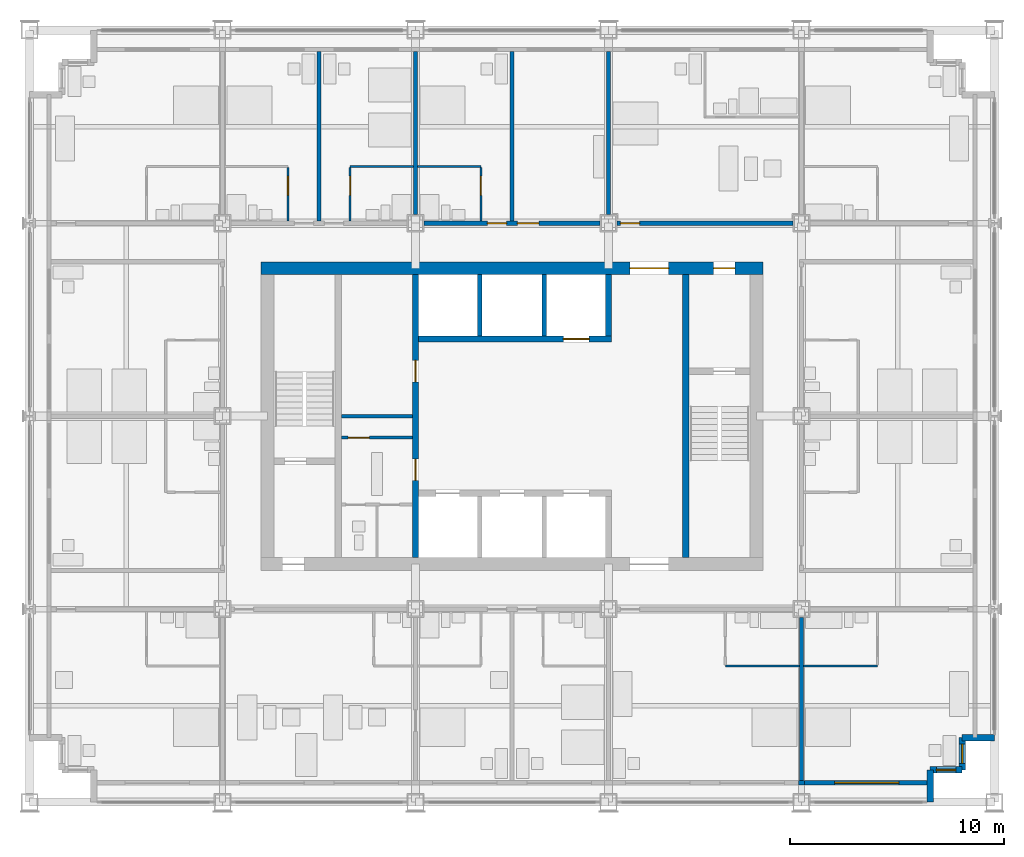
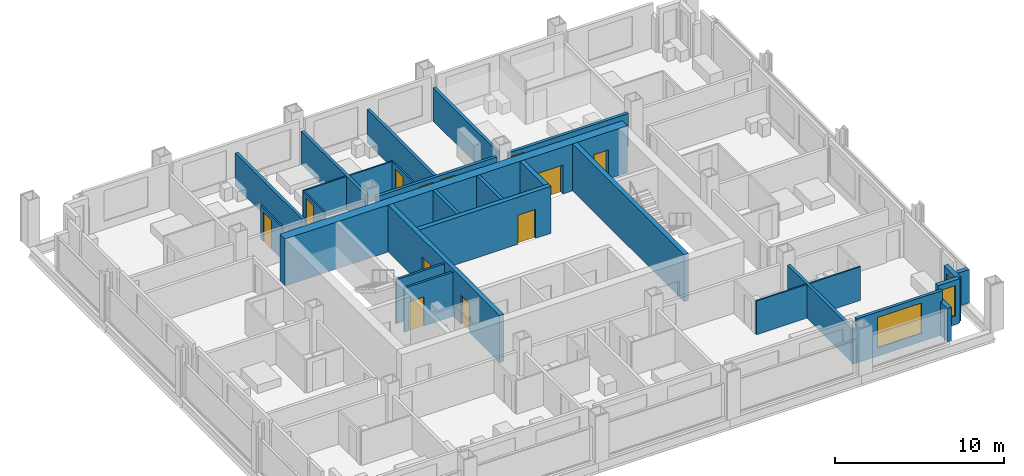
# One storey, part 11 of 16: 29 walls, 12 doors, 3 windows, 15 openings.
"""IFC4 building model written with IfcOpenShell, lengths in metres."""

from ifc_helpers import new_model, si_unit, direction, frame, frame_2d, origin, place, context, subcontext, project, spatial, rectangle, extrude, material, layer, layer_set, type_object, element, fill, save


model = new_model("IFC4")

# Units and contexts
model_context = context("Model", 3, precision=1e-05, world=origin(), true_north=direction((0.0, 1.0)))
body_context = subcontext(model_context, "Body", "Model", "MODEL_VIEW")
ifc_project = project(units=[si_unit("LENGTHUNIT", "METRE"), si_unit("AREAUNIT", "SQUARE_METRE"), si_unit("VOLUMEUNIT", "CUBIC_METRE"), si_unit("PLANEANGLEUNIT", "RADIAN"), si_unit("MASSUNIT", "GRAM", prefix="KILO")], contexts=[model_context])

# Site, building, storey
site_placement = place(None, origin())
site = spatial("IfcSite", under=ifc_project, at=site_placement, CompositionType="ELEMENT")
building_placement = place(site_placement, origin())
building = spatial("IfcBuilding", under=site, at=building_placement, Name="Loomwork Tower", CompositionType="ELEMENT")
storey_placement = place(building_placement, frame((0.0, 0.0, 131.60009765625)))
storey = spatial("IfcBuildingStorey", under=building, at=storey_placement, Name="L35", CompositionType="ELEMENT", Elevation=131.60009765625)

# Wall, openings, doors
ifc_material_1 = material(Name="Concrete 14000 psi (97 MPa)", Category="concrete")
ifc_layer_1 = layer(ifc_material_1, 0.300048828125)
ifc_layer_set_1 = layer_set([ifc_layer_1], Name="Core shear wall 300")
wall_type_1 = type_object("IfcWallType", Name="Core shear wall 300", PredefinedType="SHEAR", material=ifc_layer_set_1)
wall_1_placement = place(storey_placement, frame((18.0, 11.39990234375, 0.0), z_axis=(0.0, 0.0, 1.0), x_axis=(0.0, 1.0, 0.0)))
wall_1 = element("IfcWall", 1, at=wall_1_placement, inside=storey, type_object=wall_type_1, Name="Lobby west wall L35", PredefinedType="SHEAR", context=body_context, shape_type="SweptSolid", body=[
    extrude(rectangle(XDim=13.2001953125, YDim=0.300048828125, at=frame_2d((6.60009765625, 0.0))), origin(), (0.0, 0.0, 1.0), 3.39990234375),
])
opening_1_placement = place(wall_1_placement, frame((3.60009765625, 0.0, 0.0)))
opening_1 = element("IfcOpeningElement", 2, at=opening_1_placement, cuts=wall_1, Name="Opening D5", PredefinedType="OPENING", context=body_context, shape_type="SweptSolid", body=[
    extrude(rectangle(XDim=1.0, YDim=2.10009765625, at=frame_2d((0.5, 1.050048828125))), frame((0.0, 0.159912109375, 0.0), z_axis=(0.0, -1.0, 0.0), x_axis=(1.0, 0.0, 0.0)), (0.0, 0.0, 1.0), 0.320068359375),
])
opening_2_placement = place(wall_1_placement, frame((8.199951171875, 0.0, 0.0)))
opening_2 = element("IfcOpeningElement", 3, at=opening_2_placement, cuts=wall_1, Name="Opening D5", PredefinedType="OPENING", context=body_context, shape_type="SweptSolid", body=[
    extrude(rectangle(XDim=1.0, YDim=2.10009765625, at=frame_2d((0.5, 1.050048828125))), frame((0.0, 0.159912109375, 0.0), z_axis=(0.0, -1.0, 0.0), x_axis=(1.0, 0.0, 0.0)), (0.0, 0.0, 1.0), 0.320068359375),
])
ifc_material_2 = material(Name="Hollow metal door and frame")
door_type_1 = type_object("IfcDoorType", Name="Service door 1000", OperationType="SINGLE_SWING_LEFT", PredefinedType="DOOR", material=ifc_material_2)
door_1_placement = place(opening_1_placement, origin())
door_1 = element("IfcDoor", 4, at=door_1_placement, inside=storey, type_object=door_type_1, Name="Back-of-house door south", OperationType="SINGLE_SWING_LEFT", OverallHeight=2.10009765625, OverallWidth=1.0, PredefinedType="DOOR", context=body_context, shape_type="SweptSolid", body=[
    extrude(rectangle(XDim=1.0, YDim=2.10009765625, at=frame_2d((0.5, 1.050048828125))), frame((0.0, 0.02490234375, 0.0), z_axis=(0.0, -1.0, 0.0), x_axis=(1.0, 0.0, 0.0)), (0.0, 0.0, 1.0), 0.050048828125),
])
fill(opening_1, door_1)
door_2_placement = place(opening_2_placement, origin())
door_2 = element("IfcDoor", 5, at=door_2_placement, inside=storey, type_object=door_type_1, Name="Back-of-house door north", OperationType="SINGLE_SWING_RIGHT", OverallHeight=2.10009765625, OverallWidth=1.0, PredefinedType="DOOR", context=body_context, shape_type="SweptSolid", body=[
    extrude(rectangle(XDim=1.0, YDim=2.10009765625, at=frame_2d((0.5, 1.050048828125))), frame((0.0, 0.02490234375, 0.0), z_axis=(0.0, -1.0, 0.0), x_axis=(1.0, 0.0, 0.0)), (0.0, 0.0, 1.0), 0.050048828125),
])
fill(opening_2, door_2)

# Wall, opening, door
wall_2_placement = place(storey_placement, frame((18.14990234375, 21.60009765625, 0.0), z_axis=(0.0, 0.0, 1.0), x_axis=(1.0, 0.0, 0.0)))
wall_2 = element("IfcWall", 6, at=wall_2_placement, inside=storey, type_object=wall_type_1, Name="Lift front wall north L35", PredefinedType="SHEAR", context=body_context, shape_type="SweptSolid", body=[
    extrude(rectangle(XDim=9.0, YDim=0.300048828125, at=frame_2d((4.5, 0.0))), origin(), (0.0, 0.0, 1.0), 3.39990234375),
])
opening_3_placement = place(wall_2_placement, frame((6.75, 0.0, 0.0)))
opening_3 = element("IfcOpeningElement", 7, at=opening_3_placement, cuts=wall_2, Name="Opening LD2", PredefinedType="OPENING", context=body_context, shape_type="SweptSolid", body=[
    extrude(rectangle(XDim=1.199951171875, YDim=2.10009765625, at=frame_2d((0.60009765625, 1.050048828125))), frame((0.0, 0.159912109375, 0.0), z_axis=(0.0, -1.0, 0.0), x_axis=(1.0, 0.0, 0.0)), (0.0, 0.0, 1.0), 0.320068359375),
])
ifc_material_3 = material(Name="Hollow metal door and frame")
door_type_2 = type_object("IfcDoorType", Name="Lift landing door 1200", OperationType="SLIDING_TO_LEFT", PredefinedType="DOOR", material=ifc_material_3)
door_3_placement = place(opening_3_placement, origin())
door_3 = element("IfcDoor", 8, at=door_3_placement, inside=storey, type_object=door_type_2, Name="Lift landing door LF2", OperationType="SLIDING_TO_LEFT", OverallHeight=2.10009765625, OverallWidth=1.199951171875, PredefinedType="DOOR", context=body_context, shape_type="SweptSolid", body=[
    extrude(rectangle(XDim=1.199951171875, YDim=2.10009765625, at=frame_2d((0.60009765625, 1.050048828125))), frame((0.0, 0.02490234375, 0.0), z_axis=(0.0, -1.0, 0.0), x_axis=(1.0, 0.0, 0.0)), (0.0, 0.0, 1.0), 0.050048828125),
])
fill(opening_3, door_3)

# Walls
wall_3_placement = place(storey_placement, frame((27.0, 21.75, 0.0), z_axis=(0.0, 0.0, 1.0), x_axis=(0.0, 1.0, 0.0)))
element("IfcWall", 9, at=wall_3_placement, inside=storey, type_object=wall_type_1, Name="Lift shaft end wall north L35", PredefinedType="SHEAR", context=body_context, shape_type="SweptSolid", body=[
    extrude(rectangle(XDim=2.85009765625, YDim=0.300048828125, at=frame_2d((1.425048828125, 0.0))), origin(), (0.0, 0.0, 1.0), 3.39990234375),
])
wall_4_placement = place(storey_placement, frame((30.60009765625, 11.39990234375, 0.0), z_axis=(0.0, 0.0, 1.0), x_axis=(0.0, 1.0, 0.0)))
element("IfcWall", 10, at=wall_4_placement, inside=storey, type_object=wall_type_1, Name="Stair B west wall L35", PredefinedType="SHEAR", context=body_context, shape_type="SweptSolid", body=[
    extrude(rectangle(XDim=13.2001953125, YDim=0.300048828125, at=frame_2d((6.60009765625, 0.0))), origin(), (0.0, 0.0, 1.0), 3.39990234375),
])

# Wall, openings, doors
ifc_material_4 = material(Name="Concrete 14000 psi (97 MPa)", Category="concrete")
ifc_layer_2 = layer(ifc_material_4, 0.60009765625)
ifc_layer_set_2 = layer_set([ifc_layer_2], Name="Core shear wall 600")
wall_type_2 = type_object("IfcWallType", Name="Core shear wall 600", PredefinedType="SHEAR", material=ifc_layer_set_2)
wall_5_placement = place(storey_placement, frame((10.800048828125, 24.89990234375, 0.0), z_axis=(0.0, 0.0, 1.0), x_axis=(1.0, 0.0, 0.0)))
wall_5 = element("IfcWall", 11, at=wall_5_placement, inside=storey, type_object=wall_type_2, Name="Core wall north L35", PredefinedType="SHEAR", context=body_context, shape_type="SweptSolid", body=[
    extrude(rectangle(XDim=23.39990234375, YDim=0.60009765625, at=frame_2d((11.699951171875, 0.0))), origin(), (0.0, 0.0, 1.0), 3.39990234375),
])
opening_4_placement = place(wall_5_placement, frame((17.199951171875, 0.0, 0.0)))
opening_4 = element("IfcOpeningElement", 12, at=opening_4_placement, cuts=wall_5, Name="Opening D6", PredefinedType="OPENING", context=body_context, shape_type="SweptSolid", body=[
    extrude(rectangle(XDim=1.800048828125, YDim=2.10009765625, at=frame_2d((0.89990234375, 1.050048828125))), frame((0.0, 0.31005859375, 0.0), z_axis=(0.0, -1.0, 0.0), x_axis=(1.0, 0.0, 0.0)), (0.0, 0.0, 1.0), 0.6201171875),
])
opening_5_placement = place(wall_5_placement, frame((21.10009765625, 0.0, 0.0)))
opening_5 = element("IfcOpeningElement", 13, at=opening_5_placement, cuts=wall_5, Name="Opening D4", PredefinedType="OPENING", context=body_context, shape_type="SweptSolid", body=[
    extrude(rectangle(XDim=1.0, YDim=2.10009765625, at=frame_2d((0.5, 1.050048828125))), frame((0.0, 0.31005859375, 0.0), z_axis=(0.0, -1.0, 0.0), x_axis=(1.0, 0.0, 0.0)), (0.0, 0.0, 1.0), 0.6201171875),
])
ifc_material_5 = material(Name="Hollow metal door and frame")
door_type_3 = type_object("IfcDoorType", Name="Lobby passage double door 1800", OperationType="DOUBLE_DOOR_SINGLE_SWING", PredefinedType="DOOR", material=ifc_material_5)
door_4_placement = place(opening_4_placement, frame((1.800048828125, 0.0, 0.0), z_axis=(0.0, 0.0, 1.0), x_axis=(-1.0, 0.0, 0.0)))
door_4 = element("IfcDoor", 14, at=door_4_placement, inside=storey, type_object=door_type_3, Name="Lobby passage door north", OperationType="DOUBLE_DOOR_SINGLE_SWING", OverallHeight=2.10009765625, OverallWidth=1.800048828125, PredefinedType="DOOR", context=body_context, shape_type="SweptSolid", body=[
    extrude(rectangle(XDim=1.800048828125, YDim=2.10009765625, at=frame_2d((0.89990234375, 1.050048828125))), frame((0.0, 0.02490234375, 0.0), z_axis=(0.0, -1.0, 0.0), x_axis=(1.0, 0.0, 0.0)), (0.0, 0.0, 1.0), 0.050048828125),
])
fill(opening_4, door_4)
ifc_material_6 = material(Name="Hollow metal door and frame")
door_type_4 = type_object("IfcDoorType", Name="Stair door 1000", OperationType="SINGLE_SWING_RIGHT", PredefinedType="DOOR", material=ifc_material_6)
door_5_placement = place(opening_5_placement, frame((1.0, 0.0, 0.0), z_axis=(0.0, 0.0, 1.0), x_axis=(-1.0, 0.0, 0.0)))
door_5 = element("IfcDoor", 15, at=door_5_placement, inside=storey, type_object=door_type_4, Name="Stair B vestibule door", OperationType="SINGLE_SWING_LEFT", OverallHeight=2.10009765625, OverallWidth=1.0, PredefinedType="DOOR", context=body_context, shape_type="SweptSolid", body=[
    extrude(rectangle(XDim=1.0, YDim=2.10009765625, at=frame_2d((0.5, 1.050048828125))), frame((0.0, 0.02490234375, 0.0), z_axis=(0.0, -1.0, 0.0), x_axis=(1.0, 0.0, 0.0)), (0.0, 0.0, 1.0), 0.050048828125),
])
fill(opening_5, door_5)

ifc_material_7 = material(Name="Gypsum board on steel studs, one-hour", Category="steel")
ifc_layer_3 = layer(ifc_material_7, 0.199951171875)
ifc_layer_set_3 = layer_set([ifc_layer_3], Name="Corridor wall 200")
wall_type_3 = type_object("IfcWallType", Name="Corridor wall 200", PredefinedType="PARTITIONING", material=ifc_layer_set_3)
wall_6_placement = place(storey_placement, frame((18.39990234375, 27.0, 0.0), z_axis=(0.0, 0.0, 1.0), x_axis=(1.0, 0.0, 0.0)))
wall_6 = element("IfcWall", 16, at=wall_6_placement, inside=storey, type_object=wall_type_3, Name="North corridor wall 3", PredefinedType="PARTITIONING", context=body_context, shape_type="SweptSolid", body=[
    extrude(rectangle(XDim=8.2001953125, YDim=0.199951171875, at=frame_2d((4.10009765625, 0.0))), origin(), (0.0, 0.0, 1.0), 2.40478515625),
])
opening_6_placement = place(wall_6_placement, frame((2.949951171875, 0.0, 0.0)))
opening_6 = element("IfcOpeningElement", 17, at=opening_6_placement, cuts=wall_6, Name="Opening D1", PredefinedType="OPENING", context=body_context, shape_type="SweptSolid", body=[
    extrude(rectangle(XDim=0.89990234375, YDim=2.10009765625, at=frame_2d((0.449951171875, 1.050048828125))), frame((0.0, 0.10986328125, 0.0), z_axis=(0.0, -1.0, 0.0), x_axis=(1.0, 0.0, 0.0)), (0.0, 0.0, 1.0), 0.219970703125),
])
opening_7_placement = place(wall_6_placement, frame((4.35009765625, 0.0, 0.0)))
opening_7 = element("IfcOpeningElement", 18, at=opening_7_placement, cuts=wall_6, Name="Opening D15", PredefinedType="OPENING", context=body_context, shape_type="SweptSolid", body=[
    extrude(rectangle(XDim=1.0, YDim=2.10009765625, at=frame_2d((0.5, 1.050048828125))), frame((0.0, 0.10986328125, 0.0), z_axis=(0.0, -1.0, 0.0), x_axis=(1.0, 0.0, 0.0)), (0.0, 0.0, 1.0), 0.219970703125),
])
ifc_material_8 = material(Name="Hollow metal door and frame")
door_type_5 = type_object("IfcDoorType", Name="Fire-rated room door 1000", OperationType="SINGLE_SWING_LEFT", PredefinedType="DOOR", material=ifc_material_8)
door_6_placement = place(opening_7_placement, origin())
door_6 = element("IfcDoor", 19, at=door_6_placement, inside=storey, type_object=door_type_5, Name="Housekeeping pantry door L35 11", OperationType="SINGLE_SWING_LEFT", OverallHeight=2.10009765625, OverallWidth=1.0, PredefinedType="DOOR", context=body_context, shape_type="SweptSolid", body=[
    extrude(rectangle(XDim=1.0, YDim=2.10009765625, at=frame_2d((0.5, 1.050048828125))), frame((0.0, 0.02490234375, 0.0), z_axis=(0.0, -1.0, 0.0), x_axis=(1.0, 0.0, 0.0)), (0.0, 0.0, 1.0), 0.050048828125),
])
fill(opening_7, door_6)
ifc_material_9 = material(Name="Hollow metal door and frame")
door_type_6 = type_object("IfcDoorType", Name="Guest room entry door 900", OperationType="SINGLE_SWING_LEFT", PredefinedType="DOOR", material=ifc_material_9)
door_7_placement = place(opening_6_placement, origin())
door_7 = element("IfcDoor", 20, at=door_7_placement, inside=storey, type_object=door_type_6, Name="Guest room entry door L35 10", OperationType="SINGLE_SWING_RIGHT", OverallHeight=2.10009765625, OverallWidth=0.89990234375, PredefinedType="DOOR", context=body_context, shape_type="SweptSolid", body=[
    extrude(rectangle(XDim=0.89990234375, YDim=2.10009765625, at=frame_2d((0.449951171875, 1.050048828125))), frame((0.0, 0.02490234375, 0.0), z_axis=(0.0, -1.0, 0.0), x_axis=(1.0, 0.0, 0.0)), (0.0, 0.0, 1.0), 0.050048828125),
])
fill(opening_6, door_7)

# Wall, opening, door
wall_7_placement = place(storey_placement, frame((27.39990234375, 27.0, 0.0), z_axis=(0.0, 0.0, 1.0), x_axis=(1.0, 0.0, 0.0)))
wall_7 = element("IfcWall", 21, at=wall_7_placement, inside=storey, type_object=wall_type_3, Name="North corridor wall 4", PredefinedType="PARTITIONING", context=body_context, shape_type="SweptSolid", body=[
    extrude(rectangle(XDim=8.2001953125, YDim=0.199951171875, at=frame_2d((4.10009765625, 0.0))), origin(), (0.0, 0.0, 1.0), 2.40478515625),
])
opening_8_placement = place(wall_7_placement, frame((0.14990234375, 0.0, 0.0)))
opening_8 = element("IfcOpeningElement", 22, at=opening_8_placement, cuts=wall_7, Name="Opening D1", PredefinedType="OPENING", context=body_context, shape_type="SweptSolid", body=[
    extrude(rectangle(XDim=0.89990234375, YDim=2.10009765625, at=frame_2d((0.449951171875, 1.050048828125))), frame((0.0, 0.10986328125, 0.0), z_axis=(0.0, -1.0, 0.0), x_axis=(1.0, 0.0, 0.0)), (0.0, 0.0, 1.0), 0.219970703125),
])
door_8_placement = place(opening_8_placement, origin())
door_8 = element("IfcDoor", 23, at=door_8_placement, inside=storey, type_object=door_type_6, Name="Guest room entry door L35 12", OperationType="SINGLE_SWING_LEFT", OverallHeight=2.10009765625, OverallWidth=0.89990234375, PredefinedType="DOOR", context=body_context, shape_type="SweptSolid", body=[
    extrude(rectangle(XDim=0.89990234375, YDim=2.10009765625, at=frame_2d((0.449951171875, 1.050048828125))), frame((0.0, 0.02490234375, 0.0), z_axis=(0.0, -1.0, 0.0), x_axis=(1.0, 0.0, 0.0)), (0.0, 0.0, 1.0), 0.050048828125),
])
fill(opening_8, door_8)

# Walls
ifc_material_10 = material(Name="Cement board on steel studs", Category="steel")
ifc_layer_4 = layer(ifc_material_10, 0.10009765625)
ifc_layer_set_4 = layer_set([ifc_layer_4], Name="En-suite partition 100")
wall_type_4 = type_object("IfcWallType", Name="En-suite partition 100", PredefinedType="PARTITIONING", material=ifc_layer_set_4)
for number, where, z_axis, x_axis, name in (
    (24, (32.449951171875, 6.35009765625, 0.0), (0.0, 0.0, 1.0), (1.0, 0.0, 0.0), "En-suite wall L35 room 5"),
    (25, (36.10009765625, 6.35009765625, 0.0), (0.0, 0.0, 1.0), (1.0, 0.0, 0.0), "En-suite wall L35 room 6"),
):
    element("IfcWall", number, at=place(storey_placement, frame(where, z_axis=z_axis, x_axis=x_axis)), inside=storey, type_object=wall_type_4, Name=name, PredefinedType="PARTITIONING", context=body_context, shape_type="SweptSolid", body=[
        extrude(rectangle(XDim=3.449951171875, YDim=0.10009765625, at=frame_2d((1.72509765625, 0.0))), origin(), (0.0, 0.0, 1.0), 2.43798828125),
    ])

# Wall, opening, door
wall_8_placement = place(storey_placement, frame((12.050048828125, 27.10009765625, 0.0), z_axis=(0.0, 0.0, 1.0), x_axis=(0.0, 1.0, 0.0)))
wall_8 = element("IfcWall", 26, at=wall_8_placement, inside=storey, type_object=wall_type_4, Name="En-suite side wall L35 room 8", PredefinedType="PARTITIONING", context=body_context, shape_type="SweptSolid", body=[
    extrude(rectangle(XDim=2.5, YDim=0.10009765625, at=frame_2d((1.25, 0.0))), origin(), (0.0, 0.0, 1.0), 2.40380859375),
])
opening_9_placement = place(wall_8_placement, frame((1.199951171875, 0.0, 0.0)))
opening_9 = element("IfcOpeningElement", 27, at=opening_9_placement, cuts=wall_8, Name="Opening D2", PredefinedType="OPENING", context=body_context, shape_type="SweptSolid", body=[
    extrude(rectangle(XDim=0.89990234375, YDim=2.10009765625, at=frame_2d((0.449951171875, 1.050048828125))), frame((0.0, 0.06005859375, 0.0), z_axis=(0.0, -1.0, 0.0), x_axis=(1.0, 0.0, 0.0)), (0.0, 0.0, 1.0), 0.1201171875),
])
ifc_material_11 = material(Name="Hollow metal door and frame")
door_type_7 = type_object("IfcDoorType", Name="En-suite door 900", OperationType="SINGLE_SWING_LEFT", PredefinedType="DOOR", material=ifc_material_11)
door_9_placement = place(opening_9_placement, origin())
door_9 = element("IfcDoor", 28, at=door_9_placement, inside=storey, type_object=door_type_7, Name="En-suite door room 8", OperationType="SINGLE_SWING_RIGHT", OverallHeight=2.10009765625, OverallWidth=0.89990234375, PredefinedType="DOOR", context=body_context, shape_type="SweptSolid", body=[
    extrude(rectangle(XDim=0.89990234375, YDim=2.10009765625, at=frame_2d((0.449951171875, 1.050048828125))), frame((0.0, 0.02490234375, 0.0), z_axis=(0.0, -1.0, 0.0), x_axis=(1.0, 0.0, 0.0)), (0.0, 0.0, 1.0), 0.050048828125),
])
fill(opening_9, door_9)

# Wall
wall_9_placement = place(storey_placement, frame((14.949951171875, 29.64990234375, 0.0), z_axis=(0.0, 0.0, 1.0), x_axis=(1.0, 0.0, 0.0)))
element("IfcWall", 29, at=wall_9_placement, inside=storey, type_object=wall_type_4, Name="En-suite wall L35 room 9", PredefinedType="PARTITIONING", context=body_context, shape_type="SweptSolid", body=[
    extrude(rectangle(XDim=2.949951171875, YDim=0.10009765625, at=frame_2d((1.47509765625, 0.0))), origin(), (0.0, 0.0, 1.0), 2.40380859375),
])

# Wall, opening, door
wall_10_placement = place(storey_placement, frame((14.949951171875, 27.10009765625, 0.0), z_axis=(0.0, 0.0, 1.0), x_axis=(0.0, 1.0, 0.0)))
wall_10 = element("IfcWall", 30, at=wall_10_placement, inside=storey, type_object=wall_type_4, Name="En-suite side wall L35 room 9", PredefinedType="PARTITIONING", context=body_context, shape_type="SweptSolid", body=[
    extrude(rectangle(XDim=2.5, YDim=0.10009765625, at=frame_2d((1.25, 0.0))), origin(), (0.0, 0.0, 1.0), 2.40380859375),
])
opening_10_placement = place(wall_10_placement, frame((1.199951171875, 0.0, 0.0)))
opening_10 = element("IfcOpeningElement", 31, at=opening_10_placement, cuts=wall_10, Name="Opening D2", PredefinedType="OPENING", context=body_context, shape_type="SweptSolid", body=[
    extrude(rectangle(XDim=0.89990234375, YDim=2.10009765625, at=frame_2d((0.449951171875, 1.050048828125))), frame((0.0, 0.06005859375, 0.0), z_axis=(0.0, -1.0, 0.0), x_axis=(1.0, 0.0, 0.0)), (0.0, 0.0, 1.0), 0.1201171875),
])
door_10_placement = place(opening_10_placement, frame((0.89990234375, 0.0, 0.0), z_axis=(0.0, 0.0, 1.0), x_axis=(-1.0, 0.0, 0.0)))
door_10 = element("IfcDoor", 32, at=door_10_placement, inside=storey, type_object=door_type_7, Name="En-suite door room 9", OperationType="SINGLE_SWING_LEFT", OverallHeight=2.10009765625, OverallWidth=0.89990234375, PredefinedType="DOOR", context=body_context, shape_type="SweptSolid", body=[
    extrude(rectangle(XDim=0.89990234375, YDim=2.10009765625, at=frame_2d((0.449951171875, 1.050048828125))), frame((0.0, 0.02490234375, 0.0), z_axis=(0.0, -1.0, 0.0), x_axis=(1.0, 0.0, 0.0)), (0.0, 0.0, 1.0), 0.050048828125),
])
fill(opening_10, door_10)

# Wall
wall_11_placement = place(storey_placement, frame((18.10009765625, 29.64990234375, 0.0), z_axis=(0.0, 0.0, 1.0), x_axis=(1.0, 0.0, 0.0)))
element("IfcWall", 33, at=wall_11_placement, inside=storey, type_object=wall_type_4, Name="En-suite wall L35 room 10", PredefinedType="PARTITIONING", context=body_context, shape_type="SweptSolid", body=[
    extrude(rectangle(XDim=2.949951171875, YDim=0.10009765625, at=frame_2d((1.47509765625, 0.0))), origin(), (0.0, 0.0, 1.0), 2.40380859375),
])

# Wall, opening, door
wall_12_placement = place(storey_placement, frame((21.050048828125, 27.10009765625, 0.0), z_axis=(0.0, 0.0, 1.0), x_axis=(0.0, 1.0, 0.0)))
wall_12 = element("IfcWall", 34, at=wall_12_placement, inside=storey, type_object=wall_type_4, Name="En-suite side wall L35 room 10", PredefinedType="PARTITIONING", context=body_context, shape_type="SweptSolid", body=[
    extrude(rectangle(XDim=2.5, YDim=0.10009765625, at=frame_2d((1.25, 0.0))), origin(), (0.0, 0.0, 1.0), 2.40380859375),
])
opening_11_placement = place(wall_12_placement, frame((1.199951171875, 0.0, 0.0)))
opening_11 = element("IfcOpeningElement", 35, at=opening_11_placement, cuts=wall_12, Name="Opening D2", PredefinedType="OPENING", context=body_context, shape_type="SweptSolid", body=[
    extrude(rectangle(XDim=0.89990234375, YDim=2.10009765625, at=frame_2d((0.449951171875, 1.050048828125))), frame((0.0, 0.06005859375, 0.0), z_axis=(0.0, -1.0, 0.0), x_axis=(1.0, 0.0, 0.0)), (0.0, 0.0, 1.0), 0.1201171875),
])
door_11_placement = place(opening_11_placement, origin())
door_11 = element("IfcDoor", 36, at=door_11_placement, inside=storey, type_object=door_type_7, Name="En-suite door room 10", OperationType="SINGLE_SWING_RIGHT", OverallHeight=2.10009765625, OverallWidth=0.89990234375, PredefinedType="DOOR", context=body_context, shape_type="SweptSolid", body=[
    extrude(rectangle(XDim=0.89990234375, YDim=2.10009765625, at=frame_2d((0.449951171875, 1.050048828125))), frame((0.0, 0.02490234375, 0.0), z_axis=(0.0, -1.0, 0.0), x_axis=(1.0, 0.0, 0.0)), (0.0, 0.0, 1.0), 0.050048828125),
])
fill(opening_11, door_11)

# Walls
ifc_material_12 = material(Name="Gypsum board on steel studs, acoustic", Category="steel")
ifc_layer_5 = layer(ifc_material_12, 0.199951171875)
ifc_layer_set_5 = layer_set([ifc_layer_5], Name="Guest room party wall 200")
wall_type_5 = type_object("IfcWallType", Name="Guest room party wall 200", PredefinedType="PARTITIONING", material=ifc_layer_set_5)
wall_13_placement = place(storey_placement, frame((36.0, 8.60009765625, 0.0), z_axis=(0.0, 0.0, 1.0), x_axis=(0.0, -1.0, 0.0)))
element("IfcWall", 37, at=wall_13_placement, inside=storey, type_object=wall_type_5, Name="Guest room party wall S 36", PredefinedType="PARTITIONING", context=body_context, shape_type="SweptSolid", body=[
    extrude(rectangle(XDim=7.60009765625, YDim=0.199951171875, at=frame_2d((3.800048828125, 0.0))), origin(), (0.0, 0.0, 1.0), 2.43798828125),
])
wall_14_placement = place(storey_placement, frame((13.5, 27.10009765625, 0.0), z_axis=(0.0, 0.0, 1.0), x_axis=(0.0, 1.0, 0.0)))
element("IfcWall", 38, at=wall_14_placement, inside=storey, type_object=wall_type_5, Name="Guest room party wall N 13.5", PredefinedType="PARTITIONING", context=body_context, shape_type="SweptSolid", body=[
    extrude(rectangle(XDim=7.89990234375, YDim=0.199951171875, at=frame_2d((3.949951171875, 0.0))), origin(), (0.0, 0.0, 1.0), 2.40380859375),
])
wall_15_placement = place(storey_placement, frame((18.0, 27.39990234375, 0.0), z_axis=(0.0, 0.0, 1.0), x_axis=(0.0, 1.0, 0.0)))
element("IfcWall", 39, at=wall_15_placement, inside=storey, type_object=wall_type_5, Name="Guest room party wall N 18", PredefinedType="PARTITIONING", context=body_context, shape_type="SweptSolid", body=[
    extrude(rectangle(XDim=7.60009765625, YDim=0.199951171875, at=frame_2d((3.800048828125, 0.0))), origin(), (0.0, 0.0, 1.0), 2.40478515625),
])
wall_16_placement = place(storey_placement, frame((22.5, 27.10009765625, 0.0), z_axis=(0.0, 0.0, 1.0), x_axis=(0.0, 1.0, 0.0)))
element("IfcWall", 40, at=wall_16_placement, inside=storey, type_object=wall_type_5, Name="Guest room party wall N 22.5", PredefinedType="PARTITIONING", context=body_context, shape_type="SweptSolid", body=[
    extrude(rectangle(XDim=7.89990234375, YDim=0.199951171875, at=frame_2d((3.949951171875, 0.0))), origin(), (0.0, 0.0, 1.0), 2.40380859375),
])
wall_17_placement = place(storey_placement, frame((27.0, 27.39990234375, 0.0), z_axis=(0.0, 0.0, 1.0), x_axis=(0.0, 1.0, 0.0)))
element("IfcWall", 41, at=wall_17_placement, inside=storey, type_object=wall_type_5, Name="Guest room party wall N 27", PredefinedType="PARTITIONING", context=body_context, shape_type="SweptSolid", body=[
    extrude(rectangle(XDim=7.60009765625, YDim=0.199951171875, at=frame_2d((3.800048828125, 0.0))), origin(), (0.0, 0.0, 1.0), 2.40478515625),
])
ifc_material_13 = material(Name="Insulated steel stud wall with gypsum lining", Category="steel")
ifc_layer_6 = layer(ifc_material_13, 0.199951171875)
ifc_layer_set_6 = layer_set([ifc_layer_6], Name="Inner skin wall 200")
wall_type_6 = type_object("IfcWallType", Name="Inner skin wall 200", PredefinedType="SOLIDWALL", material=ifc_layer_set_6)
wall_18_placement = place(storey_placement, frame((35.864501953125, 0.89990234375, 0.0), z_axis=(0.0, 0.0, 1.0), x_axis=(1.0, 0.0, 0.0)))
element("IfcWall", 42, at=wall_18_placement, inside=storey, type_object=wall_type_6, Name="Inner skin wall S bay 8", PredefinedType="SOLIDWALL", context=body_context, shape_type="SweptSolid", body=[
    extrude(rectangle(XDim=0.27099609375, YDim=0.199951171875, at=frame_2d((0.135498046875, 0.0))), origin(), (0.0, 0.0, 1.0), 2.43798828125),
])

# Wall, opening, window
wall_19_placement = place(storey_placement, frame((36.135498046875, 0.89990234375, 0.0), z_axis=(0.0, 0.0, 1.0), x_axis=(1.0, 0.0, 0.0)))
wall_19 = element("IfcWall", 43, at=wall_19_placement, inside=storey, type_object=wall_type_6, Name="Inner skin wall S bay 9", PredefinedType="SOLIDWALL", context=body_context, shape_type="SweptSolid", body=[
    extrude(rectangle(XDim=5.864501953125, YDim=0.199951171875, at=frame_2d((2.93212890625, 0.0))), origin(), (0.0, 0.0, 1.0), 3.199951171875),
])
opening_12_placement = place(wall_19_placement, frame((1.41455078125, 0.0, 0.60009765625)))
opening_12 = element("IfcOpeningElement", 44, at=opening_12_placement, cuts=wall_19, Name="Opening CH1", PredefinedType="OPENING", context=body_context, shape_type="SweptSolid", body=[
    extrude(rectangle(XDim=3.0, YDim=2.199951171875, at=frame_2d((1.5, 1.10009765625))), frame((0.0, 0.10986328125, 0.0), z_axis=(0.0, -1.0, 0.0), x_axis=(1.0, 0.0, 0.0)), (0.0, 0.0, 1.0), 0.219970703125),
])
ifc_material_14 = material(Name="Aluminium frame with clear insulated glass", Category="aluminium")
window_type_1 = type_object("IfcWindowType", Name="Chicago window 3000", PartitioningType="TRIPLE_PANEL_VERTICAL", PredefinedType="WINDOW", material=ifc_material_14)
window_1_placement = place(opening_12_placement, origin())
window_1 = element("IfcWindow", 45, at=window_1_placement, inside=storey, type_object=window_type_1, Name="Chicago window L35 bay 5", OverallHeight=2.199951171875, OverallWidth=3.0, PartitioningType="TRIPLE_PANEL_VERTICAL", PredefinedType="WINDOW", context=body_context, shape_type="SweptSolid", body=[
    extrude(rectangle(XDim=3.0, YDim=2.199951171875, at=frame_2d((1.5, 1.10009765625))), frame((0.0, 0.030029296875, 0.0), z_axis=(0.0, -1.0, 0.0), x_axis=(1.0, 0.0, 0.0)), (0.0, 0.0, 1.0), 0.06005859375),
])
fill(opening_12, window_1)

# Walls
ifc_material_15 = material(Name="Concrete 14000 psi (97 MPa)", Category="concrete")
ifc_layer_7 = layer(ifc_material_15, 0.199951171875)
ifc_layer_set_7 = layer_set([ifc_layer_7], Name="Lift shaft wall 200")
wall_type_7 = type_object("IfcWallType", Name="Lift shaft wall 200", PredefinedType="SHEAR", material=ifc_layer_set_7)
for number, where, z_axis, x_axis, name in (
    (46, (21.0, 21.75, 0.0), (0.0, 0.0, 1.0), (0.0, 1.0, 0.0), "Lift shaft separation wall north 1 L35"),
    (47, (24.0, 21.75, 0.0), (0.0, 0.0, 1.0), (0.0, 1.0, 0.0), "Lift shaft separation wall north 2 L35"),
):
    element("IfcWall", number, at=place(storey_placement, frame(where, z_axis=z_axis, x_axis=x_axis)), inside=storey, type_object=wall_type_7, Name=name, PredefinedType="SHEAR", context=body_context, shape_type="SweptSolid", body=[
        extrude(rectangle(XDim=2.85009765625, YDim=0.199951171875, at=frame_2d((1.425048828125, 0.0))), origin(), (0.0, 0.0, 1.0), 3.39990234375),
    ])
ifc_material_16 = material(Name="Limestone on concrete masonry", Category="masonry")
ifc_layer_8 = layer(ifc_material_16, 0.300048828125)
ifc_layer_set_8 = layer_set([ifc_layer_8], Name="Limestone corner wall 300")
wall_type_8 = type_object("IfcWallType", Name="Limestone corner wall 300", PredefinedType="SOLIDWALL", material=ifc_layer_set_8)
wall_20_placement = place(storey_placement, frame((42.0, 0.0, 0.0), z_axis=(0.0, 0.0, 1.0), x_axis=(0.0, 1.0, 0.0)))
element("IfcWall", 48, at=wall_20_placement, inside=storey, type_object=wall_type_8, Name="Stone corner wall SE 1", PredefinedType="SOLIDWALL", context=body_context, shape_type="SweptSolid", body=[
    extrude(rectangle(XDim=1.5, YDim=0.300048828125, at=frame_2d((0.75, 0.0))), origin(), (0.0, 0.0, 1.0), 2.419921875),
])

# Wall, opening, window
wall_21_placement = place(storey_placement, frame((42.0, 1.5, 0.0), z_axis=(0.0, 0.0, 1.0), x_axis=(1.0, 0.0, 0.0)))
wall_21 = element("IfcWall", 49, at=wall_21_placement, inside=storey, type_object=wall_type_8, Name="Stone corner wall SE 2", PredefinedType="SOLIDWALL", context=body_context, shape_type="SweptSolid", body=[
    extrude(rectangle(XDim=1.5, YDim=0.300048828125, at=frame_2d((0.75, 0.0))), origin(), (0.0, 0.0, 1.0), 3.199951171875),
])
opening_13_placement = place(wall_21_placement, frame((0.300048828125, 0.0, 0.60009765625)))
opening_13 = element("IfcOpeningElement", 50, at=opening_13_placement, cuts=wall_21, Name="Opening CH2", PredefinedType="OPENING", context=body_context, shape_type="SweptSolid", body=[
    extrude(rectangle(XDim=0.89990234375, YDim=2.199951171875, at=frame_2d((0.449951171875, 1.10009765625))), frame((0.0, 0.159912109375, 0.0), z_axis=(0.0, -1.0, 0.0), x_axis=(1.0, 0.0, 0.0)), (0.0, 0.0, 1.0), 0.320068359375),
])
ifc_material_17 = material(Name="Aluminium frame with clear insulated glass", Category="aluminium")
window_type_2 = type_object("IfcWindowType", Name="Corner window 900", PartitioningType="SINGLE_PANEL", PredefinedType="WINDOW", material=ifc_material_17)
window_2_placement = place(opening_13_placement, origin())
window_2 = element("IfcWindow", 51, at=window_2_placement, inside=storey, type_object=window_type_2, Name="Corner window SE", OverallHeight=2.199951171875, OverallWidth=0.89990234375, PartitioningType="SINGLE_PANEL", PredefinedType="WINDOW", context=body_context, shape_type="SweptSolid", body=[
    extrude(rectangle(XDim=0.89990234375, YDim=2.199951171875, at=frame_2d((0.449951171875, 1.10009765625))), frame((0.0, 0.030029296875, 0.0), z_axis=(0.0, -1.0, 0.0), x_axis=(1.0, 0.0, 0.0)), (0.0, 0.0, 1.0), 0.06005859375),
])
fill(opening_13, window_2)

wall_22_placement = place(storey_placement, frame((43.5, 1.5, 0.0), z_axis=(0.0, 0.0, 1.0), x_axis=(0.0, 1.0, 0.0)))
wall_22 = element("IfcWall", 52, at=wall_22_placement, inside=storey, type_object=wall_type_8, Name="Stone corner wall SE 3", PredefinedType="SOLIDWALL", context=body_context, shape_type="SweptSolid", body=[
    extrude(rectangle(XDim=1.5, YDim=0.300048828125, at=frame_2d((0.75, 0.0))), origin(), (0.0, 0.0, 1.0), 3.199951171875),
])
opening_14_placement = place(wall_22_placement, frame((0.300048828125, 0.0, 0.60009765625)))
opening_14 = element("IfcOpeningElement", 53, at=opening_14_placement, cuts=wall_22, Name="Opening CH2", PredefinedType="OPENING", context=body_context, shape_type="SweptSolid", body=[
    extrude(rectangle(XDim=0.89990234375, YDim=2.199951171875, at=frame_2d((0.449951171875, 1.10009765625))), frame((0.0, 0.159912109375, 0.0), z_axis=(0.0, -1.0, 0.0), x_axis=(1.0, 0.0, 0.0)), (0.0, 0.0, 1.0), 0.320068359375),
])
window_3_placement = place(opening_14_placement, origin())
window_3 = element("IfcWindow", 54, at=window_3_placement, inside=storey, type_object=window_type_2, Name="Corner window SE", OverallHeight=2.199951171875, OverallWidth=0.89990234375, PartitioningType="SINGLE_PANEL", PredefinedType="WINDOW", context=body_context, shape_type="SweptSolid", body=[
    extrude(rectangle(XDim=0.89990234375, YDim=2.199951171875, at=frame_2d((0.449951171875, 1.10009765625))), frame((0.0, 0.030029296875, 0.0), z_axis=(0.0, -1.0, 0.0), x_axis=(1.0, 0.0, 0.0)), (0.0, 0.0, 1.0), 0.06005859375),
])
fill(opening_14, window_3)

# Walls
wall_23_placement = place(storey_placement, frame((43.5, 3.0, 0.0), z_axis=(0.0, 0.0, 1.0), x_axis=(1.0, 0.0, 0.0)))
element("IfcWall", 55, at=wall_23_placement, inside=storey, type_object=wall_type_8, Name="Stone corner wall SE 4", PredefinedType="SOLIDWALL", context=body_context, shape_type="SweptSolid", body=[
    extrude(rectangle(XDim=1.5, YDim=0.300048828125, at=frame_2d((0.75, 0.0))), origin(), (0.0, 0.0, 1.0), 2.419921875),
])
ifc_material_18 = material(Name="Gypsum board on steel studs", Category="steel")
ifc_layer_9 = layer(ifc_material_18, 0.14990234375)
ifc_layer_set_9 = layer_set([ifc_layer_9], Name="Partition 150 two-hour")
wall_type_9 = type_object("IfcWallType", Name="Partition 150 two-hour", PredefinedType="PARTITIONING", material=ifc_layer_set_9)
wall_24_placement = place(storey_placement, frame((14.550048828125, 18.0, 0.0), z_axis=(0.0, 0.0, 1.0), x_axis=(1.0, 0.0, 0.0)))
element("IfcWall", 56, at=wall_24_placement, inside=storey, type_object=wall_type_9, Name="Back-of-house dividing wall L35", PredefinedType="PARTITIONING", context=body_context, shape_type="SweptSolid", body=[
    extrude(rectangle(XDim=3.300048828125, YDim=0.14990234375, at=frame_2d((1.64990234375, 0.0))), origin(), (0.0, 0.0, 1.0), 3.199951171875),
])

# Wall, opening, door
ifc_material_19 = material(Name="Gypsum board on steel studs, one-hour", Category="steel")
ifc_layer_10 = layer(ifc_material_19, 0.14990234375)
ifc_layer_set_10 = layer_set([ifc_layer_10], Name="Service partition 150")
wall_type_10 = type_object("IfcWallType", Name="Service partition 150", PredefinedType="PARTITIONING", material=ifc_layer_set_10)
wall_25_placement = place(storey_placement, frame((14.550048828125, 17.0, 0.0), z_axis=(0.0, 0.0, 1.0), x_axis=(1.0, 0.0, 0.0)))
wall_25 = element("IfcWall", 57, at=wall_25_placement, inside=storey, type_object=wall_type_10, Name="Riser enclosure L35", PredefinedType="PARTITIONING", context=body_context, shape_type="SweptSolid", body=[
    extrude(rectangle(XDim=3.300048828125, YDim=0.14990234375, at=frame_2d((1.64990234375, 0.0))), origin(), (0.0, 0.0, 1.0), 3.199951171875),
])
opening_15_placement = place(wall_25_placement, frame((0.300048828125, 0.0, 0.0)))
opening_15 = element("IfcOpeningElement", 58, at=opening_15_placement, cuts=wall_25, Name="Opening D18", PredefinedType="OPENING", context=body_context, shape_type="SweptSolid", body=[
    extrude(rectangle(XDim=1.0, YDim=2.10009765625, at=frame_2d((0.5, 1.050048828125))), frame((0.0, 0.0849609375, 0.0), z_axis=(0.0, -1.0, 0.0), x_axis=(1.0, 0.0, 0.0)), (0.0, 0.0, 1.0), 0.169921875),
])
ifc_material_20 = material(Name="Hollow metal door and frame")
door_type_8 = type_object("IfcDoorType", Name="Ninety-minute service door 1000", OperationType="SINGLE_SWING_LEFT", PredefinedType="DOOR", material=ifc_material_20)
door_12_placement = place(opening_15_placement, frame((1.0, 0.0, 0.0), z_axis=(0.0, 0.0, 1.0), x_axis=(-1.0, 0.0, 0.0)))
door_12 = element("IfcDoor", 59, at=door_12_placement, inside=storey, type_object=door_type_8, Name="Riser access door", OperationType="SINGLE_SWING_RIGHT", OverallHeight=2.10009765625, OverallWidth=1.0, PredefinedType="DOOR", context=body_context, shape_type="SweptSolid", body=[
    extrude(rectangle(XDim=1.0, YDim=2.10009765625, at=frame_2d((0.5, 1.050048828125))), frame((0.0, 0.02490234375, 0.0), z_axis=(0.0, -1.0, 0.0), x_axis=(1.0, 0.0, 0.0)), (0.0, 0.0, 1.0), 0.050048828125),
])
fill(opening_15, door_12)

save(model, "model.ifc")
